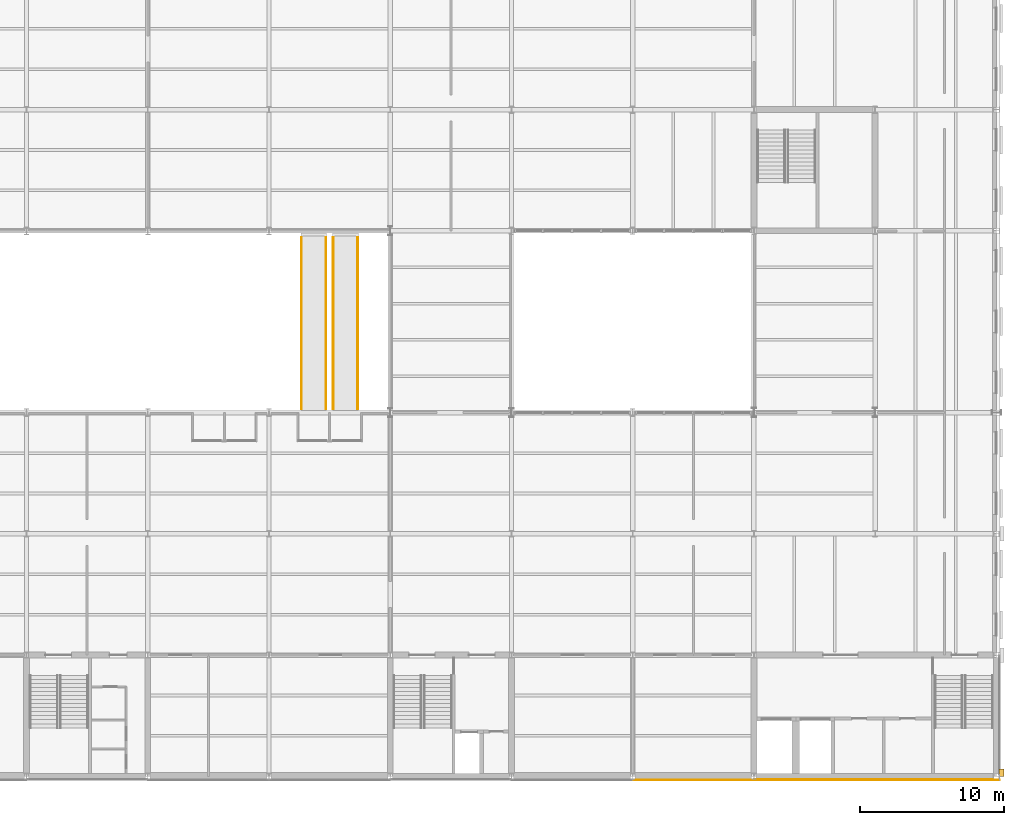
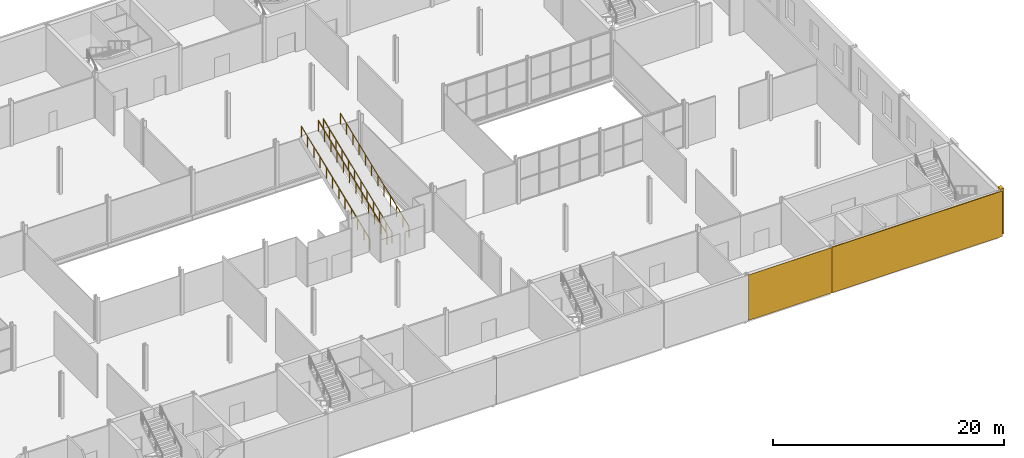
# One storey, part 48 of 57: 4 coverings, 4 railings.
"""IFC4 building model written with IfcOpenShell, lengths in metres."""

from ifc_helpers import new_model, si_unit, direction, frame, origin, origin_2d, place, context, subcontext, project, spatial, rectangle, circle, extrude, material, layer, layer_set, type_object, element, save


model = new_model("IFC4")

# Units and contexts
model_context = context("Model", 3, precision=1e-05, world=origin(), true_north=direction((0.0, 1.0)))
body_context = subcontext(model_context, "Body", "Model", "MODEL_VIEW")
ifc_project = project(units=[si_unit("LENGTHUNIT", "METRE"), si_unit("AREAUNIT", "SQUARE_METRE"), si_unit("VOLUMEUNIT", "CUBIC_METRE"), si_unit("PLANEANGLEUNIT", "RADIAN"), si_unit("MASSUNIT", "GRAM", prefix="KILO")], contexts=[model_context])

# Site, building, storey
site_placement = place(None, origin())
site = spatial("IfcSite", under=ifc_project, at=site_placement, CompositionType="ELEMENT")
building_placement = place(site_placement, origin())
building = spatial("IfcBuilding", under=site, at=building_placement, Name="Galleria Vessillo Department Store", CompositionType="ELEMENT")
storey_placement = place(building_placement, frame((0.0, 0.0, 21.0)))
storey = spatial("IfcBuildingStorey", under=building, at=storey_placement, Name="L04", CompositionType="ELEMENT", Elevation=21.0)

# Railings
ifc_material_1 = material(Name="Glass laminated 44.2", Category="glass")
railing_type = type_object("IfcRailingType", Name="Escalator balustrade glass 1150 mm", PredefinedType="BALUSTRADE", material=ifc_material_1)
railing_1_placement = place(storey_placement, frame((69.449951171875, 25.44287109375, -0.124755859375)))
element("IfcRailing", 1, at=railing_1_placement, inside=storey, type_object=railing_type, Name="Escalator balustrade ES9 W", PredefinedType="BALUSTRADE", context=body_context, shape_type="SweptSolid", body=[
    extrude(circle(Radius=0.02392578125, at=origin_2d()), frame((0.0, 0.0, 1.1259765625), z_axis=(0.0, 0.928203066198, 0.372074008633), x_axis=(-1.0, 0.0, 0.0)), (0.0, 0.0, 1.0), 12.810791015625),
    extrude(circle(Radius=0.02099609375, at=origin_2d()), origin(), (0.0, 0.0, 1.0), 1.101806640625),
    extrude(circle(Radius=0.02099609375, at=origin_2d()), frame((0.0, 1.0810546875, 0.433349609375)), (0.0, 0.0, 1.0), 1.101806640625),
    extrude(circle(Radius=0.02099609375, at=origin_2d()), frame((0.0, 2.162109375, 0.86669921875)), (0.0, 0.0, 1.0), 1.101806640625),
    extrude(circle(Radius=0.02099609375, at=origin_2d()), frame((0.0, 3.242919921875, 1.300048828125)), (0.0, 0.0, 1.0), 1.101806640625),
    extrude(circle(Radius=0.02099609375, at=origin_2d()), frame((0.0, 4.323974609375, 1.7333984375)), (0.0, 0.0, 1.0), 1.101806640625),
    extrude(circle(Radius=0.02099609375, at=origin_2d()), frame((0.0, 5.405029296875, 2.166748046875)), (0.0, 0.0, 1.0), 1.101806640625),
    extrude(circle(Radius=0.02099609375, at=origin_2d()), frame((0.0, 6.486083984375, 2.599853515625)), (0.0, 0.0, 1.0), 1.101806640625),
    extrude(circle(Radius=0.02099609375, at=origin_2d()), frame((0.0, 7.567138671875, 3.033203125)), (0.0, 0.0, 1.0), 1.101806640625),
    extrude(circle(Radius=0.02099609375, at=origin_2d()), frame((0.0, 8.648193359375, 3.466552734375)), (0.0, 0.0, 1.0), 1.101806640625),
    extrude(circle(Radius=0.02099609375, at=origin_2d()), frame((0.0, 9.72900390625, 3.89990234375)), (0.0, 0.0, 1.0), 1.101806640625),
    extrude(circle(Radius=0.02099609375, at=origin_2d()), frame((0.0, 10.81005859375, 4.333251953125)), (0.0, 0.0, 1.0), 1.101806640625),
    extrude(circle(Radius=0.02099609375, at=origin_2d()), frame((0.0, 11.89111328125, 4.7666015625)), (0.0, 0.0, 1.0), 1.101806640625),
])
railing_2_placement = place(storey_placement, frame((71.150146484375, 25.44287109375, -0.124755859375)))
element("IfcRailing", 2, at=railing_2_placement, inside=storey, type_object=railing_type, Name="Escalator balustrade ES9 E", PredefinedType="BALUSTRADE", context=body_context, shape_type="SweptSolid", body=[
    extrude(circle(Radius=0.02392578125, at=origin_2d()), frame((0.0, 0.0, 1.1259765625), z_axis=(0.0, 0.928203066198, 0.372074008633), x_axis=(-1.0, 0.0, 0.0)), (0.0, 0.0, 1.0), 12.810791015625),
    extrude(circle(Radius=0.02099609375, at=origin_2d()), origin(), (0.0, 0.0, 1.0), 1.101806640625),
    extrude(circle(Radius=0.02099609375, at=origin_2d()), frame((0.0, 1.0810546875, 0.433349609375)), (0.0, 0.0, 1.0), 1.101806640625),
    extrude(circle(Radius=0.02099609375, at=origin_2d()), frame((0.0, 2.162109375, 0.86669921875)), (0.0, 0.0, 1.0), 1.101806640625),
    extrude(circle(Radius=0.02099609375, at=origin_2d()), frame((0.0, 3.242919921875, 1.300048828125)), (0.0, 0.0, 1.0), 1.101806640625),
    extrude(circle(Radius=0.02099609375, at=origin_2d()), frame((0.0, 4.323974609375, 1.7333984375)), (0.0, 0.0, 1.0), 1.101806640625),
    extrude(circle(Radius=0.02099609375, at=origin_2d()), frame((0.0, 5.405029296875, 2.166748046875)), (0.0, 0.0, 1.0), 1.101806640625),
    extrude(circle(Radius=0.02099609375, at=origin_2d()), frame((0.0, 6.486083984375, 2.599853515625)), (0.0, 0.0, 1.0), 1.101806640625),
    extrude(circle(Radius=0.02099609375, at=origin_2d()), frame((0.0, 7.567138671875, 3.033203125)), (0.0, 0.0, 1.0), 1.101806640625),
    extrude(circle(Radius=0.02099609375, at=origin_2d()), frame((0.0, 8.648193359375, 3.466552734375)), (0.0, 0.0, 1.0), 1.101806640625),
    extrude(circle(Radius=0.02099609375, at=origin_2d()), frame((0.0, 9.72900390625, 3.89990234375)), (0.0, 0.0, 1.0), 1.101806640625),
    extrude(circle(Radius=0.02099609375, at=origin_2d()), frame((0.0, 10.81005859375, 4.333251953125)), (0.0, 0.0, 1.0), 1.101806640625),
    extrude(circle(Radius=0.02099609375, at=origin_2d()), frame((0.0, 11.89111328125, 4.7666015625)), (0.0, 0.0, 1.0), 1.101806640625),
])
railing_3_placement = place(storey_placement, frame((71.64990234375, 25.44287109375, -0.124755859375)))
element("IfcRailing", 3, at=railing_3_placement, inside=storey, type_object=railing_type, Name="Escalator balustrade ES10 W", PredefinedType="BALUSTRADE", context=body_context, shape_type="SweptSolid", body=[
    extrude(circle(Radius=0.02392578125, at=origin_2d()), frame((0.0, 0.0, 1.1259765625), z_axis=(0.0, 0.928203066198, 0.372074008633), x_axis=(-1.0, 0.0, 0.0)), (0.0, 0.0, 1.0), 12.810791015625),
    extrude(circle(Radius=0.02099609375, at=origin_2d()), origin(), (0.0, 0.0, 1.0), 1.101806640625),
    extrude(circle(Radius=0.02099609375, at=origin_2d()), frame((0.0, 1.0810546875, 0.433349609375)), (0.0, 0.0, 1.0), 1.101806640625),
    extrude(circle(Radius=0.02099609375, at=origin_2d()), frame((0.0, 2.162109375, 0.86669921875)), (0.0, 0.0, 1.0), 1.101806640625),
    extrude(circle(Radius=0.02099609375, at=origin_2d()), frame((0.0, 3.242919921875, 1.300048828125)), (0.0, 0.0, 1.0), 1.101806640625),
    extrude(circle(Radius=0.02099609375, at=origin_2d()), frame((0.0, 4.323974609375, 1.7333984375)), (0.0, 0.0, 1.0), 1.101806640625),
    extrude(circle(Radius=0.02099609375, at=origin_2d()), frame((0.0, 5.405029296875, 2.166748046875)), (0.0, 0.0, 1.0), 1.101806640625),
    extrude(circle(Radius=0.02099609375, at=origin_2d()), frame((0.0, 6.486083984375, 2.599853515625)), (0.0, 0.0, 1.0), 1.101806640625),
    extrude(circle(Radius=0.02099609375, at=origin_2d()), frame((0.0, 7.567138671875, 3.033203125)), (0.0, 0.0, 1.0), 1.101806640625),
    extrude(circle(Radius=0.02099609375, at=origin_2d()), frame((0.0, 8.648193359375, 3.466552734375)), (0.0, 0.0, 1.0), 1.101806640625),
    extrude(circle(Radius=0.02099609375, at=origin_2d()), frame((0.0, 9.72900390625, 3.89990234375)), (0.0, 0.0, 1.0), 1.101806640625),
    extrude(circle(Radius=0.02099609375, at=origin_2d()), frame((0.0, 10.81005859375, 4.333251953125)), (0.0, 0.0, 1.0), 1.101806640625),
    extrude(circle(Radius=0.02099609375, at=origin_2d()), frame((0.0, 11.89111328125, 4.7666015625)), (0.0, 0.0, 1.0), 1.101806640625),
])
railing_4_placement = place(storey_placement, frame((73.35009765625, 25.44287109375, -0.124755859375)))
element("IfcRailing", 4, at=railing_4_placement, inside=storey, type_object=railing_type, Name="Escalator balustrade ES10 E", PredefinedType="BALUSTRADE", context=body_context, shape_type="SweptSolid", body=[
    extrude(circle(Radius=0.02392578125, at=origin_2d()), frame((0.0, 0.0, 1.1259765625), z_axis=(0.0, 0.928203066198, 0.372074008633), x_axis=(-1.0, 0.0, 0.0)), (0.0, 0.0, 1.0), 12.810791015625),
    extrude(circle(Radius=0.02099609375, at=origin_2d()), origin(), (0.0, 0.0, 1.0), 1.101806640625),
    extrude(circle(Radius=0.02099609375, at=origin_2d()), frame((0.0, 1.0810546875, 0.433349609375)), (0.0, 0.0, 1.0), 1.101806640625),
    extrude(circle(Radius=0.02099609375, at=origin_2d()), frame((0.0, 2.162109375, 0.86669921875)), (0.0, 0.0, 1.0), 1.101806640625),
    extrude(circle(Radius=0.02099609375, at=origin_2d()), frame((0.0, 3.242919921875, 1.300048828125)), (0.0, 0.0, 1.0), 1.101806640625),
    extrude(circle(Radius=0.02099609375, at=origin_2d()), frame((0.0, 4.323974609375, 1.7333984375)), (0.0, 0.0, 1.0), 1.101806640625),
    extrude(circle(Radius=0.02099609375, at=origin_2d()), frame((0.0, 5.405029296875, 2.166748046875)), (0.0, 0.0, 1.0), 1.101806640625),
    extrude(circle(Radius=0.02099609375, at=origin_2d()), frame((0.0, 6.486083984375, 2.599853515625)), (0.0, 0.0, 1.0), 1.101806640625),
    extrude(circle(Radius=0.02099609375, at=origin_2d()), frame((0.0, 7.567138671875, 3.033203125)), (0.0, 0.0, 1.0), 1.101806640625),
    extrude(circle(Radius=0.02099609375, at=origin_2d()), frame((0.0, 8.648193359375, 3.466552734375)), (0.0, 0.0, 1.0), 1.101806640625),
    extrude(circle(Radius=0.02099609375, at=origin_2d()), frame((0.0, 9.72900390625, 3.89990234375)), (0.0, 0.0, 1.0), 1.101806640625),
    extrude(circle(Radius=0.02099609375, at=origin_2d()), frame((0.0, 10.81005859375, 4.333251953125)), (0.0, 0.0, 1.0), 1.101806640625),
    extrude(circle(Radius=0.02099609375, at=origin_2d()), frame((0.0, 11.89111328125, 4.7666015625)), (0.0, 0.0, 1.0), 1.101806640625),
])

# Coverings
ifc_material_2 = material(Name="Lime plaster (intonaco) ochre")
ifc_layer_1 = layer(ifc_material_2, 0.030029296875)
ifc_layer_set_1 = layer_set([ifc_layer_1], Name="Lime plaster (intonaco) ochre")
covering_type_1 = type_object("IfcCoveringType", Name="Lime plaster render 30 mm", PredefinedType="CLADDING", material=ifc_layer_set_1)
covering_1_placement = place(storey_placement, frame((96.60009765625, -0.264892578125, 0.0), z_axis=(0.0, 0.0, 1.0), x_axis=(1.0, 0.0, 0.0)))
element("IfcCovering", 5, at=covering_1_placement, inside=storey, type_object=covering_type_1, Name="Wall cladding S-PS-L04-08", PredefinedType="CLADDING", context=body_context, shape_type="SweptSolid", body=[
    extrude(rectangle(XDim=8.34033203125, YDim=0.030029296875, at=origin_2d()), origin(), (0.0, 0.0, 1.0), 4.800048828125),
])
covering_2_placement = place(storey_placement, frame((109.114990234375, -0.215087890625, 0.0), z_axis=(0.0, 0.0, 1.0), x_axis=(1.0, 0.0, 0.0)))
element("IfcCovering", 6, at=covering_2_placement, inside=storey, type_object=covering_type_1, Name="Wall cladding S-CW-GC-PARTY-L04", PredefinedType="CLADDING", context=body_context, shape_type="SweptSolid", body=[
    extrude(rectangle(XDim=16.570068359375, YDim=0.030029296875, at=origin_2d()), origin(), (0.0, 0.0, 1.0), 4.800048828125),
])
covering_3_placement = place(storey_placement, frame((109.300048828125, -0.264892578125, 0.0), z_axis=(0.0, 0.0, 1.0), x_axis=(1.0, 0.0, 0.0)))
element("IfcCovering", 7, at=covering_3_placement, inside=storey, type_object=covering_type_1, Name="Corner cladding L04 y=0 south/north face", PredefinedType="CLADDING", context=body_context, shape_type="SweptSolid", body=[
    extrude(rectangle(XDim=17.059814453125, YDim=0.030029296875, at=origin_2d()), origin(), (0.0, 0.0, 1.0), 4.800048828125),
])
ifc_material_3 = material(Name="Botticino limestone ashlar", Category="masonry")
ifc_layer_2 = layer(ifc_material_3, 0.280029296875)
ifc_layer_set_2 = layer_set([ifc_layer_2], Name="Botticino limestone ashlar")
covering_type_2 = type_object("IfcCoveringType", Name="Limestone giant pilaster 1000 x 280", PredefinedType="CLADDING", material=ifc_layer_set_2)
covering_4_placement = place(storey_placement, frame((117.965087890625, 0.25, 0.0), z_axis=(0.0, 0.0, 1.0), x_axis=(1.0, 0.0, 0.0)))
element("IfcCovering", 8, at=covering_4_placement, inside=storey, type_object=covering_type_2, Name="Giant pilaster E L04 y=0.0", PredefinedType="CLADDING", context=body_context, shape_type="SweptSolid", body=[
    extrude(rectangle(XDim=0.330078125, YDim=0.5, at=origin_2d()), origin(), (0.0, 0.0, 1.0), 4.800048828125),
])

save(model, "model.ifc")
